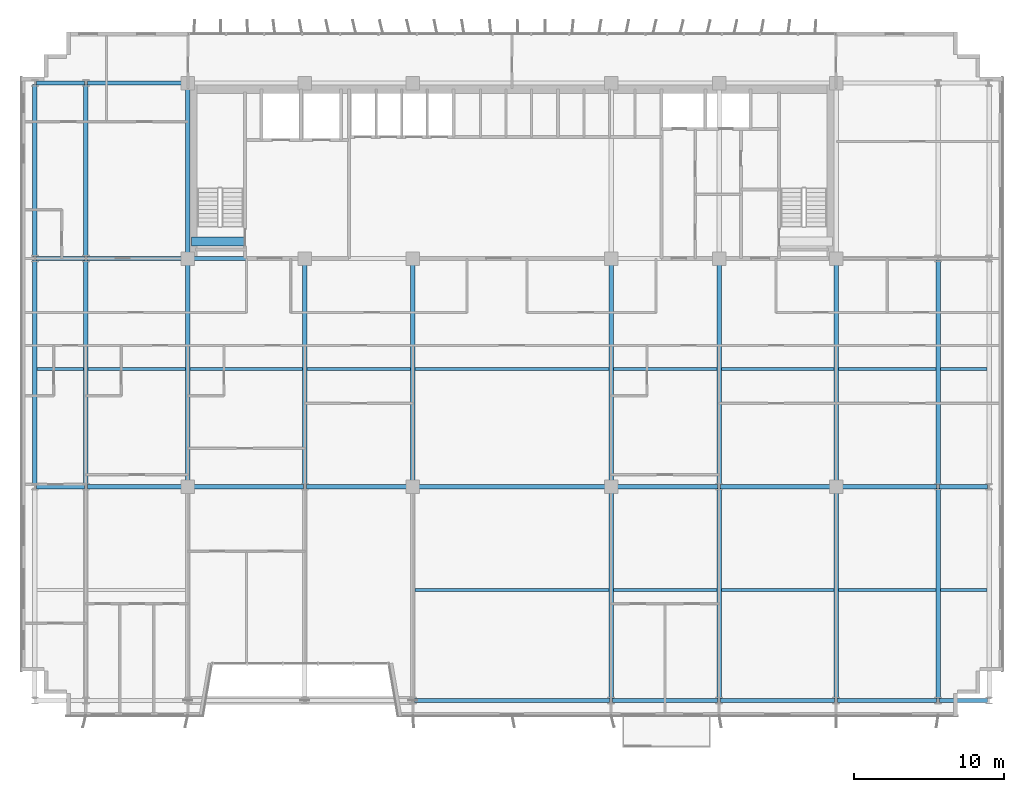
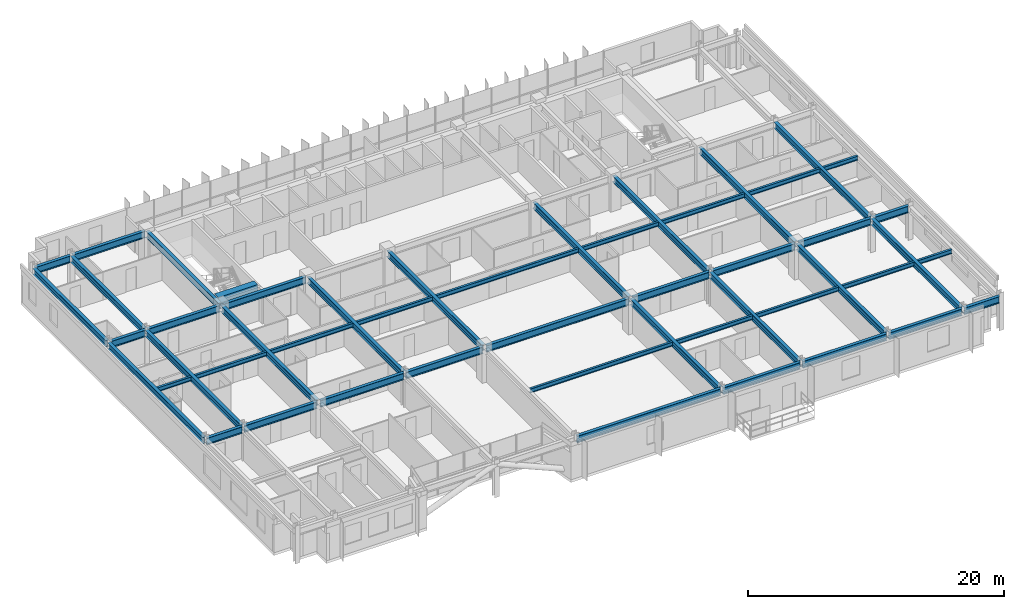
# One storey, part 7 of 25: 50 beams.
"""IFC4 building model written with IfcOpenShell, lengths in metres."""

from ifc_helpers import new_model, si_unit, direction, frame, origin, origin_2d, place, context, subcontext, project, spatial, rectangle, i_section, extrude, source, transform, mapped, material, material_profile, profile_set, type_object, element, save


model = new_model("IFC4")

# Units and contexts
model_context = context("Model", 3, precision=1e-05, world=origin(), true_north=direction((0.0, 1.0)))
body_context = subcontext(model_context, "Body", "Model", "MODEL_VIEW")
ifc_project = project(units=[si_unit("LENGTHUNIT", "METRE"), si_unit("AREAUNIT", "SQUARE_METRE"), si_unit("VOLUMEUNIT", "CUBIC_METRE"), si_unit("PLANEANGLEUNIT", "RADIAN"), si_unit("MASSUNIT", "GRAM", prefix="KILO")], contexts=[model_context])

# Site, building, storey
site_placement = place(None, origin())
site = spatial("IfcSite", under=ifc_project, at=site_placement, CompositionType="ELEMENT")
building_placement = place(site_placement, origin())
building = spatial("IfcBuilding", under=site, at=building_placement, Name="Trelvane Seafront Commons", CompositionType="ELEMENT")
storey_placement = place(building_placement, frame((0.0, 0.0, 70.300048828125)))
storey = spatial("IfcBuildingStorey", under=building, at=storey_placement, Name="L18", CompositionType="ELEMENT", Elevation=70.300048828125)

# Beams
ifc_material_1 = material(Name="Concrete C60/75", Category="concrete")
ifc_material_profile_1 = material_profile(ifc_material_1, rectangle(XDim=0.60009765625, YDim=0.89990234375, at=origin_2d()), Name="RC-600x900")
ifc_profile_set_1 = profile_set([ifc_material_profile_1], Name="Concrete C60/75")
beam_type_1 = type_object("IfcBeamType", Name="STR-LNT-RC600x900", PredefinedType="LINTEL", material=ifc_profile_set_1)
shared_shape_1 = source(origin(), body_context, "Body", "SweptSolid", [
    extrude(rectangle(XDim=0.60009765625, YDim=0.89990234375, at=origin_2d()), origin(), (0.0, 0.0, 1.0), 3.5498046875),
])
beam_1_placement = place(storey_placement, frame((15.85009765625, 34.550048828125, 2.77001953125), z_axis=(1.0, 0.0, 0.0), x_axis=(0.0, 1.0, 0.0)))
element("IfcBeam", 1, at=beam_1_placement, inside=storey, type_object=beam_type_1, Name="L18 Core Coupling Lintel Beam CB-83", PredefinedType="LINTEL", context=body_context, shape_type="MappedRepresentation", body=[
    mapped(shared_shape_1, transform((0.0, 0.0, 0.0), x_axis=(1.0, 0.0, 0.0), y_axis=(0.0, 1.0, 0.0), z_axis=(0.0, 0.0, 1.0), scale=1.0)),
])
ifc_material_2 = material(Name="Steel SM355 (S355)", Category="steel")
ifc_material_profile_2 = material_profile(ifc_material_2, i_section(OverallWidth=0.280029296875, OverallDepth=0.64990234375, WebThickness=0.012939453125, FlangeThickness=0.02197265625, at=origin_2d()), Name="H-650x280x13x22")
ifc_profile_set_2 = profile_set([ifc_material_profile_2], Name="Steel SM355 (S355)")
beam_type_2 = type_object("IfcBeamType", Name="STR-BM-H650", PredefinedType="BEAM", material=ifc_profile_set_2)
shared_shape_2 = source(origin(), body_context, "Body", "SweptSolid", [
    extrude(i_section(OverallWidth=0.280029296875, OverallDepth=0.64990234375, WebThickness=0.012939453125, FlangeThickness=0.02197265625, at=origin_2d()), origin(), (0.0, 0.0, 1.0), 3.190185546875),
])
for number, where, z_axis, x_axis, name in (
    (2, (5.5048828125, 18.199951171875, 2.89501953125), (1.0, 0.0, 0.0), (0.0, 1.0, 0.0), "L18 Primary Girder G-10"),
    (3, (5.5048828125, 33.39990234375, 2.89501953125), (1.0, 0.0, 0.0), (0.0, 1.0, 0.0), "L18 Primary Girder G-19"),
    (4, (5.5048828125, 45.10009765625, 2.89501953125), (1.0, 0.0, 0.0), (0.0, 1.0, 0.0), "L18 Primary Girder G-28"),
):
    element("IfcBeam", number, at=place(storey_placement, frame(where, z_axis=z_axis, x_axis=x_axis)), inside=storey, type_object=beam_type_2, Name=name, PredefinedType="BEAM", context=body_context, shape_type="MappedRepresentation", body=[
        mapped(shared_shape_2, transform((0.0, 0.0, 0.0), x_axis=(1.0, 0.0, 0.0), y_axis=(0.0, 1.0, 0.0), z_axis=(0.0, 0.0, 1.0), scale=1.0)),
    ])
shared_shape_3 = source(origin(), body_context, "Body", "SweptSolid", [
    extrude(i_section(OverallWidth=0.280029296875, OverallDepth=0.64990234375, WebThickness=0.012939453125, FlangeThickness=0.02197265625, at=origin_2d()), origin(), (0.0, 0.0, 1.0), 6.590087890625),
])
beam_2_placement = place(storey_placement, frame((58.905029296875, 3.949951171875, 2.89501953125), z_axis=(1.0, 0.0, 0.0), x_axis=(0.0, 1.0, 0.0)))
element("IfcBeam", 5, at=beam_2_placement, inside=storey, type_object=beam_type_2, Name="L18 Primary Girder G-08", PredefinedType="BEAM", context=body_context, shape_type="MappedRepresentation", body=[
    mapped(shared_shape_3, transform((0.0, 0.0, 0.0), x_axis=(1.0, 0.0, 0.0), y_axis=(0.0, 1.0, 0.0), z_axis=(0.0, 0.0, 1.0), scale=1.0)),
])
shared_shape_4 = source(origin(), body_context, "Body", "SweptSolid", [
    extrude(i_section(OverallWidth=0.280029296875, OverallDepth=0.64990234375, WebThickness=0.012939453125, FlangeThickness=0.02197265625, at=origin_2d()), origin(), (0.0, 0.0, 1.0), 12.989990234375),
])
beam_3_placement = place(storey_placement, frame((30.705078125, 3.949951171875, 2.89501953125), z_axis=(1.0, 0.0, 0.0), x_axis=(0.0, 1.0, 0.0)))
element("IfcBeam", 6, at=beam_3_placement, inside=storey, type_object=beam_type_2, Name="L18 Primary Girder G-05", PredefinedType="BEAM", context=body_context, shape_type="MappedRepresentation", body=[
    mapped(shared_shape_4, transform((0.0, 0.0, 0.0), x_axis=(1.0, 0.0, 0.0), y_axis=(0.0, 1.0, 0.0), z_axis=(0.0, 0.0, 1.0), scale=1.0)),
])
shared_shape_5 = source(origin(), body_context, "Body", "SweptSolid", [
    extrude(i_section(OverallWidth=0.280029296875, OverallDepth=0.64990234375, WebThickness=0.012939453125, FlangeThickness=0.02197265625, at=origin_2d()), origin(), (0.0, 0.0, 1.0), 6.989990234375),
])
beam_4_placement = place(storey_placement, frame((43.905029296875, 3.949951171875, 2.89501953125), z_axis=(1.0, 0.0, 0.0), x_axis=(0.0, 1.0, 0.0)))
element("IfcBeam", 7, at=beam_4_placement, inside=storey, type_object=beam_type_2, Name="L18 Primary Girder G-06", PredefinedType="BEAM", context=body_context, shape_type="MappedRepresentation", body=[
    mapped(shared_shape_5, transform((0.0, 0.0, 0.0), x_axis=(1.0, 0.0, 0.0), y_axis=(0.0, 1.0, 0.0), z_axis=(0.0, 0.0, 1.0), scale=1.0)),
])
shared_shape_6 = source(origin(), body_context, "Body", "SweptSolid", [
    extrude(i_section(OverallWidth=0.280029296875, OverallDepth=0.64990234375, WebThickness=0.012939453125, FlangeThickness=0.02197265625, at=origin_2d()), origin(), (0.0, 0.0, 1.0), 7.590087890625),
])
beam_5_placement = place(storey_placement, frame((51.10498046875, 3.949951171875, 2.89501953125), z_axis=(1.0, 0.0, 0.0), x_axis=(0.0, 1.0, 0.0)))
element("IfcBeam", 8, at=beam_5_placement, inside=storey, type_object=beam_type_2, Name="L18 Primary Girder G-07", PredefinedType="BEAM", context=body_context, shape_type="MappedRepresentation", body=[
    mapped(shared_shape_6, transform((0.0, 0.0, 0.0), x_axis=(1.0, 0.0, 0.0), y_axis=(0.0, 1.0, 0.0), z_axis=(0.0, 0.0, 1.0), scale=1.0)),
])
shared_shape_7 = source(origin(), body_context, "Body", "SweptSolid", [
    extrude(i_section(OverallWidth=0.280029296875, OverallDepth=0.64990234375, WebThickness=0.012939453125, FlangeThickness=0.02197265625, at=origin_2d()), origin(), (0.0, 0.0, 1.0), 3.18994140625),
])
for number, where, z_axis, x_axis, name in (
    (9, (65.705078125, 3.949951171875, 2.89501953125), (1.0, 0.0, 0.0), (0.0, 1.0, 0.0), "L18 Primary Girder G-09"),
    (10, (65.705078125, 18.199951171875, 2.89501953125), (1.0, 0.0, 0.0), (0.0, 1.0, 0.0), "L18 Primary Girder G-18"),
):
    element("IfcBeam", number, at=place(storey_placement, frame(where, z_axis=z_axis, x_axis=x_axis)), inside=storey, type_object=beam_type_2, Name=name, PredefinedType="BEAM", context=body_context, shape_type="MappedRepresentation", body=[
        mapped(shared_shape_7, transform((0.0, 0.0, 0.0), x_axis=(1.0, 0.0, 0.0), y_axis=(0.0, 1.0, 0.0), z_axis=(0.0, 0.0, 1.0), scale=1.0)),
    ])
shared_shape_8 = source(origin(), body_context, "Body", "SweptSolid", [
    extrude(i_section(OverallWidth=0.280029296875, OverallDepth=0.64990234375, WebThickness=0.012939453125, FlangeThickness=0.02197265625, at=origin_2d()), origin(), (0.0, 0.0, 1.0), 6.544921875),
])
for number, where, z_axis, x_axis, name in (
    (11, (8.905029296875, 18.199951171875, 2.89501953125), (1.0, 0.0, 0.0), (0.0, 1.0, 0.0), "L18 Primary Girder G-11"),
    (12, (8.905029296875, 33.39990234375, 2.89501953125), (1.0, 0.0, 0.0), (0.0, 1.0, 0.0), "L18 Primary Girder G-20"),
    (13, (8.905029296875, 45.10009765625, 2.89501953125), (1.0, 0.0, 0.0), (0.0, 1.0, 0.0), "L18 Primary Girder G-29"),
):
    element("IfcBeam", number, at=place(storey_placement, frame(where, z_axis=z_axis, x_axis=x_axis)), inside=storey, type_object=beam_type_2, Name=name, PredefinedType="BEAM", context=body_context, shape_type="MappedRepresentation", body=[
        mapped(shared_shape_8, transform((0.0, 0.0, 0.0), x_axis=(1.0, 0.0, 0.0), y_axis=(0.0, 1.0, 0.0), z_axis=(0.0, 0.0, 1.0), scale=1.0)),
    ])
shared_shape_9 = source(origin(), body_context, "Body", "SweptSolid", [
    extrude(i_section(OverallWidth=0.280029296875, OverallDepth=0.64990234375, WebThickness=0.012939453125, FlangeThickness=0.02197265625, at=origin_2d()), origin(), (0.0, 0.0, 1.0), 7.544921875),
])
for number, where, z_axis, x_axis, name in (
    (14, (15.75, 18.199951171875, 2.89501953125), (1.0, 0.0, 0.0), (0.0, 1.0, 0.0), "L18 Primary Girder G-12"),
    (15, (51.10498046875, 18.199951171875, 2.89501953125), (1.0, 0.0, 0.0), (0.0, 1.0, 0.0), "L18 Primary Girder G-16"),
):
    element("IfcBeam", number, at=place(storey_placement, frame(where, z_axis=z_axis, x_axis=x_axis)), inside=storey, type_object=beam_type_2, Name=name, PredefinedType="BEAM", context=body_context, shape_type="MappedRepresentation", body=[
        mapped(shared_shape_9, transform((0.0, 0.0, 0.0), x_axis=(1.0, 0.0, 0.0), y_axis=(0.0, 1.0, 0.0), z_axis=(0.0, 0.0, 1.0), scale=1.0)),
    ])
shared_shape_10 = source(origin(), body_context, "Body", "SweptSolid", [
    extrude(i_section(OverallWidth=0.280029296875, OverallDepth=0.64990234375, WebThickness=0.012939453125, FlangeThickness=0.02197265625, at=origin_2d()), origin(), (0.0, 0.0, 1.0), 6.945068359375),
])
for number, where, z_axis, x_axis, name in (
    (16, (23.5048828125, 18.199951171875, 2.89501953125), (1.0, 0.0, 0.0), (0.0, 1.0, 0.0), "L18 Primary Girder G-13"),
    (17, (43.949951171875, 18.199951171875, 2.89501953125), (1.0, 0.0, 0.0), (0.0, 1.0, 0.0), "L18 Primary Girder G-15"),
):
    element("IfcBeam", number, at=place(storey_placement, frame(where, z_axis=z_axis, x_axis=x_axis)), inside=storey, type_object=beam_type_2, Name=name, PredefinedType="BEAM", context=body_context, shape_type="MappedRepresentation", body=[
        mapped(shared_shape_10, transform((0.0, 0.0, 0.0), x_axis=(1.0, 0.0, 0.0), y_axis=(0.0, 1.0, 0.0), z_axis=(0.0, 0.0, 1.0), scale=1.0)),
    ])
shared_shape_11 = source(origin(), body_context, "Body", "SweptSolid", [
    extrude(i_section(OverallWidth=0.280029296875, OverallDepth=0.64990234375, WebThickness=0.012939453125, FlangeThickness=0.02197265625, at=origin_2d()), origin(), (0.0, 0.0, 1.0), 12.89990234375),
])
beam_6_placement = place(storey_placement, frame((30.75, 18.199951171875, 2.89501953125), z_axis=(1.0, 0.0, 0.0), x_axis=(0.0, 1.0, 0.0)))
element("IfcBeam", 18, at=beam_6_placement, inside=storey, type_object=beam_type_2, Name="L18 Primary Girder G-14", PredefinedType="BEAM", context=body_context, shape_type="MappedRepresentation", body=[
    mapped(shared_shape_11, transform((0.0, 0.0, 0.0), x_axis=(1.0, 0.0, 0.0), y_axis=(0.0, 1.0, 0.0), z_axis=(0.0, 0.0, 1.0), scale=1.0)),
])
shared_shape_12 = source(origin(), body_context, "Body", "SweptSolid", [
    extrude(i_section(OverallWidth=0.280029296875, OverallDepth=0.64990234375, WebThickness=0.012939453125, FlangeThickness=0.02197265625, at=origin_2d()), origin(), (0.0, 0.0, 1.0), 6.545166015625),
])
beam_7_placement = place(storey_placement, frame((58.949951171875, 18.199951171875, 2.89501953125), z_axis=(1.0, 0.0, 0.0), x_axis=(0.0, 1.0, 0.0)))
element("IfcBeam", 19, at=beam_7_placement, inside=storey, type_object=beam_type_2, Name="L18 Primary Girder G-17", PredefinedType="BEAM", context=body_context, shape_type="MappedRepresentation", body=[
    mapped(shared_shape_12, transform((0.0, 0.0, 0.0), x_axis=(1.0, 0.0, 0.0), y_axis=(0.0, 1.0, 0.0), z_axis=(0.0, 0.0, 1.0), scale=1.0)),
])
shared_shape_13 = source(origin(), body_context, "Body", "SweptSolid", [
    extrude(i_section(OverallWidth=0.280029296875, OverallDepth=0.64990234375, WebThickness=0.012939453125, FlangeThickness=0.02197265625, at=origin_2d()), origin(), (0.0, 0.0, 1.0), 7.5),
])
beam_8_placement = place(storey_placement, frame((15.75, 33.39990234375, 2.89501953125), z_axis=(1.0, 0.0, 0.0), x_axis=(0.0, 1.0, 0.0)))
element("IfcBeam", 20, at=beam_8_placement, inside=storey, type_object=beam_type_2, Name="L18 Primary Girder G-21", PredefinedType="BEAM", context=body_context, shape_type="MappedRepresentation", body=[
    mapped(shared_shape_13, transform((0.0, 0.0, 0.0), x_axis=(1.0, 0.0, 0.0), y_axis=(0.0, 1.0, 0.0), z_axis=(0.0, 0.0, 1.0), scale=1.0)),
])
ifc_material_profile_3 = material_profile(ifc_material_2, i_section(OverallWidth=0.300048828125, OverallDepth=0.587890625, WebThickness=0.011962890625, FlangeThickness=0.02001953125, at=origin_2d()), Name="H-588x300x12x20")
ifc_profile_set_3 = profile_set([ifc_material_profile_3], Name="Steel SM355 (S355)")
beam_type_3 = type_object("IfcBeamType", Name="STR-BM-H588", PredefinedType="BEAM", material=ifc_profile_set_3)
shared_shape_14 = source(origin(), body_context, "Body", "SweptSolid", [
    extrude(i_section(OverallWidth=0.300048828125, OverallDepth=0.587890625, WebThickness=0.011962890625, FlangeThickness=0.02001953125, at=origin_2d()), origin(), (0.0, 0.0, 1.0), 14.0400390625),
])
for number, where, z_axis, x_axis, name in (
    (21, (51.0, 4.054931640625, 2.926025390625), (0.0, 1.0, 0.0), (-1.0, 0.0, 0.0), "L18 Primary Girder G-55"),
    (22, (65.60009765625, 4.054931640625, 2.926025390625), (0.0, 1.0, 0.0), (-1.0, 0.0, 0.0), "L18 Primary Girder G-61"),
):
    element("IfcBeam", number, at=place(storey_placement, frame(where, z_axis=z_axis, x_axis=x_axis)), inside=storey, type_object=beam_type_3, Name=name, PredefinedType="BEAM", context=body_context, shape_type="MappedRepresentation", body=[
        mapped(shared_shape_14, transform((0.0, 0.0, 0.0), x_axis=(1.0, 0.0, 0.0), y_axis=(0.0, 1.0, 0.0), z_axis=(0.0, 0.0, 1.0), scale=1.0)),
    ])
shared_shape_15 = source(origin(), body_context, "Body", "SweptSolid", [
    extrude(i_section(OverallWidth=0.300048828125, OverallDepth=0.587890625, WebThickness=0.011962890625, FlangeThickness=0.02001953125, at=origin_2d()), origin(), (0.0, 0.0, 1.0), 14.989990234375),
])
for number, where, z_axis, x_axis, name in (
    (23, (5.39990234375, 18.304931640625, 2.926025390625), (0.0, 1.0, 0.0), (-1.0, 0.0, 0.0), "L18 Primary Girder G-38"),
    (24, (8.800048828125, 18.304931640625, 2.926025390625), (0.0, 1.0, 0.0), (-1.0, 0.0, 0.0), "L18 Primary Girder G-41"),
    (25, (65.60009765625, 18.304931640625, 2.926025390625), (0.0, 1.0, 0.0), (-1.0, 0.0, 0.0), "L18 Primary Girder G-62"),
):
    element("IfcBeam", number, at=place(storey_placement, frame(where, z_axis=z_axis, x_axis=x_axis)), inside=storey, type_object=beam_type_3, Name=name, PredefinedType="BEAM", context=body_context, shape_type="MappedRepresentation", body=[
        mapped(shared_shape_15, transform((0.0, 0.0, 0.0), x_axis=(1.0, 0.0, 0.0), y_axis=(0.0, 1.0, 0.0), z_axis=(0.0, 0.0, 1.0), scale=1.0)),
    ])
shared_shape_16 = source(origin(), body_context, "Body", "SweptSolid", [
    extrude(i_section(OverallWidth=0.300048828125, OverallDepth=0.587890625, WebThickness=0.011962890625, FlangeThickness=0.02001953125, at=origin_2d()), origin(), (0.0, 0.0, 1.0), 11.490234375),
])
for number, where, z_axis, x_axis, name in (
    (26, (5.39990234375, 33.5048828125, 2.926025390625), (0.0, 1.0, 0.0), (-1.0, 0.0, 0.0), "L18 Primary Girder G-39"),
    (27, (8.800048828125, 33.5048828125, 2.926025390625), (0.0, 1.0, 0.0), (-1.0, 0.0, 0.0), "L18 Primary Girder G-42"),
):
    element("IfcBeam", number, at=place(storey_placement, frame(where, z_axis=z_axis, x_axis=x_axis)), inside=storey, type_object=beam_type_3, Name=name, PredefinedType="BEAM", context=body_context, shape_type="MappedRepresentation", body=[
        mapped(shared_shape_16, transform((0.0, 0.0, 0.0), x_axis=(1.0, 0.0, 0.0), y_axis=(0.0, 1.0, 0.0), z_axis=(0.0, 0.0, 1.0), scale=1.0)),
    ])
shared_shape_17 = source(origin(), body_context, "Body", "SweptSolid", [
    extrude(i_section(OverallWidth=0.300048828125, OverallDepth=0.587890625, WebThickness=0.011962890625, FlangeThickness=0.02001953125, at=origin_2d()), origin(), (0.0, 0.0, 1.0), 13.9951171875),
])
for number, where, z_axis, x_axis, name in (
    (28, (43.800048828125, 4.054931640625, 2.926025390625), (0.0, 1.0, 0.0), (-1.0, 0.0, 0.0), "L18 Primary Girder G-52"),
    (29, (58.800048828125, 4.054931640625, 2.926025390625), (0.0, 1.0, 0.0), (-1.0, 0.0, 0.0), "L18 Primary Girder G-58"),
):
    element("IfcBeam", number, at=place(storey_placement, frame(where, z_axis=z_axis, x_axis=x_axis)), inside=storey, type_object=beam_type_3, Name=name, PredefinedType="BEAM", context=body_context, shape_type="MappedRepresentation", body=[
        mapped(shared_shape_17, transform((0.0, 0.0, 0.0), x_axis=(1.0, 0.0, 0.0), y_axis=(0.0, 1.0, 0.0), z_axis=(0.0, 0.0, 1.0), scale=1.0)),
    ])
shared_shape_18 = source(origin(), body_context, "Body", "SweptSolid", [
    extrude(i_section(OverallWidth=0.300048828125, OverallDepth=0.587890625, WebThickness=0.011962890625, FlangeThickness=0.02001953125, at=origin_2d()), origin(), (0.0, 0.0, 1.0), 14.89990234375),
])
for number, where, z_axis, x_axis, name in (
    (30, (15.60009765625, 18.35009765625, 2.926025390625), (0.0, 1.0, 0.0), (-1.0, 0.0, 0.0), "L18 Primary Girder G-44"),
    (31, (30.60009765625, 18.35009765625, 2.926025390625), (0.0, 1.0, 0.0), (-1.0, 0.0, 0.0), "L18 Primary Girder G-50"),
    (32, (43.800048828125, 18.35009765625, 2.926025390625), (0.0, 1.0, 0.0), (-1.0, 0.0, 0.0), "L18 Primary Girder G-53"),
    (33, (58.800048828125, 18.35009765625, 2.926025390625), (0.0, 1.0, 0.0), (-1.0, 0.0, 0.0), "L18 Primary Girder G-59"),
):
    element("IfcBeam", number, at=place(storey_placement, frame(where, z_axis=z_axis, x_axis=x_axis)), inside=storey, type_object=beam_type_3, Name=name, PredefinedType="BEAM", context=body_context, shape_type="MappedRepresentation", body=[
        mapped(shared_shape_18, transform((0.0, 0.0, 0.0), x_axis=(1.0, 0.0, 0.0), y_axis=(0.0, 1.0, 0.0), z_axis=(0.0, 0.0, 1.0), scale=1.0)),
    ])
shared_shape_19 = source(origin(), body_context, "Body", "SweptSolid", [
    extrude(i_section(OverallWidth=0.300048828125, OverallDepth=0.587890625, WebThickness=0.011962890625, FlangeThickness=0.02001953125, at=origin_2d()), origin(), (0.0, 0.0, 1.0), 11.39990234375),
])
beam_9_placement = place(storey_placement, frame((15.60009765625, 33.550048828125, 2.926025390625), z_axis=(0.0, 1.0, 0.0), x_axis=(-1.0, 0.0, 0.0)))
element("IfcBeam", 34, at=beam_9_placement, inside=storey, type_object=beam_type_3, Name="L18 Primary Girder G-45", PredefinedType="BEAM", context=body_context, shape_type="MappedRepresentation", body=[
    mapped(shared_shape_19, transform((0.0, 0.0, 0.0), x_axis=(1.0, 0.0, 0.0), y_axis=(0.0, 1.0, 0.0), z_axis=(0.0, 0.0, 1.0), scale=1.0)),
])
shared_shape_20 = source(origin(), body_context, "Body", "SweptSolid", [
    extrude(i_section(OverallWidth=0.300048828125, OverallDepth=0.587890625, WebThickness=0.011962890625, FlangeThickness=0.02001953125, at=origin_2d()), origin(), (0.0, 0.0, 1.0), 14.945068359375),
])
for number, where, z_axis, x_axis, name in (
    (35, (23.39990234375, 18.304931640625, 2.926025390625), (0.0, 1.0, 0.0), (-1.0, 0.0, 0.0), "L18 Primary Girder G-47"),
    (36, (51.0, 18.304931640625, 2.926025390625), (0.0, 1.0, 0.0), (-1.0, 0.0, 0.0), "L18 Primary Girder G-56"),
):
    element("IfcBeam", number, at=place(storey_placement, frame(where, z_axis=z_axis, x_axis=x_axis)), inside=storey, type_object=beam_type_3, Name=name, PredefinedType="BEAM", context=body_context, shape_type="MappedRepresentation", body=[
        mapped(shared_shape_20, transform((0.0, 0.0, 0.0), x_axis=(1.0, 0.0, 0.0), y_axis=(0.0, 1.0, 0.0), z_axis=(0.0, 0.0, 1.0), scale=1.0)),
    ])
ifc_material_profile_4 = material_profile(ifc_material_2, i_section(OverallWidth=0.199951171875, OverallDepth=0.39990234375, WebThickness=0.008056640625, FlangeThickness=0.012939453125, at=origin_2d()), Name="H-400x200x8x13")
ifc_profile_set_4 = profile_set([ifc_material_profile_4], Name="Steel SM355 (S355)")
beam_type_4 = type_object("IfcBeamType", Name="STR-JST-H400", PredefinedType="JOIST", material=ifc_profile_set_4)
shared_shape_21 = source(origin(), body_context, "Body", "SweptSolid", [
    extrude(i_section(OverallWidth=0.199951171875, OverallDepth=0.39990234375, WebThickness=0.008056640625, FlangeThickness=0.012939453125, at=origin_2d()), origin(), (0.0, 0.0, 1.0), 3.099853515625),
])
beam_10_placement = place(storey_placement, frame((5.550048828125, 26.050048828125, 3.02001953125), z_axis=(1.0, 0.0, 0.0), x_axis=(0.0, 1.0, 0.0)))
element("IfcBeam", 37, at=beam_10_placement, inside=storey, type_object=beam_type_4, Name="L18 Secondary Floor Joist B-74", PredefinedType="JOIST", context=body_context, shape_type="MappedRepresentation", body=[
    mapped(shared_shape_21, transform((0.0, 0.0, 0.0), x_axis=(1.0, 0.0, 0.0), y_axis=(0.0, 1.0, 0.0), z_axis=(0.0, 0.0, 1.0), scale=1.0)),
])
shared_shape_22 = source(origin(), body_context, "Body", "SweptSolid", [
    extrude(i_section(OverallWidth=0.199951171875, OverallDepth=0.39990234375, WebThickness=0.008056640625, FlangeThickness=0.012939453125, at=origin_2d()), origin(), (0.0, 0.0, 1.0), 6.5),
])
for number, where, z_axis, x_axis, name in (
    (38, (58.949951171875, 11.324951171875, 3.02001953125), (1.0, 0.0, 0.0), (0.0, 1.0, 0.0), "L18 Secondary Floor Joist B-72"),
    (39, (8.949951171875, 26.050048828125, 3.02001953125), (1.0, 0.0, 0.0), (0.0, 1.0, 0.0), "L18 Secondary Floor Joist B-75"),
    (40, (58.949951171875, 26.050048828125, 3.02001953125), (1.0, 0.0, 0.0), (0.0, 1.0, 0.0), "L18 Secondary Floor Joist B-81"),
):
    element("IfcBeam", number, at=place(storey_placement, frame(where, z_axis=z_axis, x_axis=x_axis)), inside=storey, type_object=beam_type_4, Name=name, PredefinedType="JOIST", context=body_context, shape_type="MappedRepresentation", body=[
        mapped(shared_shape_22, transform((0.0, 0.0, 0.0), x_axis=(1.0, 0.0, 0.0), y_axis=(0.0, 1.0, 0.0), z_axis=(0.0, 0.0, 1.0), scale=1.0)),
    ])
shared_shape_23 = source(origin(), body_context, "Body", "SweptSolid", [
    extrude(i_section(OverallWidth=0.199951171875, OverallDepth=0.39990234375, WebThickness=0.008056640625, FlangeThickness=0.012939453125, at=origin_2d()), origin(), (0.0, 0.0, 1.0), 7.5),
])
for number, where, z_axis, x_axis, name in (
    (41, (51.14990234375, 11.324951171875, 3.02001953125), (1.0, 0.0, 0.0), (0.0, 1.0, 0.0), "L18 Secondary Floor Joist B-71"),
    (42, (15.75, 26.050048828125, 3.02001953125), (1.0, 0.0, 0.0), (0.0, 1.0, 0.0), "L18 Secondary Floor Joist B-76"),
    (43, (51.14990234375, 26.050048828125, 3.02001953125), (1.0, 0.0, 0.0), (0.0, 1.0, 0.0), "L18 Secondary Floor Joist B-80"),
):
    element("IfcBeam", number, at=place(storey_placement, frame(where, z_axis=z_axis, x_axis=x_axis)), inside=storey, type_object=beam_type_4, Name=name, PredefinedType="JOIST", context=body_context, shape_type="MappedRepresentation", body=[
        mapped(shared_shape_23, transform((0.0, 0.0, 0.0), x_axis=(1.0, 0.0, 0.0), y_axis=(0.0, 1.0, 0.0), z_axis=(0.0, 0.0, 1.0), scale=1.0)),
    ])
shared_shape_24 = source(origin(), body_context, "Body", "SweptSolid", [
    extrude(i_section(OverallWidth=0.199951171875, OverallDepth=0.39990234375, WebThickness=0.008056640625, FlangeThickness=0.012939453125, at=origin_2d()), origin(), (0.0, 0.0, 1.0), 6.89990234375),
])
beam_11_placement = place(storey_placement, frame((23.550048828125, 26.050048828125, 3.02001953125), z_axis=(1.0, 0.0, 0.0), x_axis=(0.0, 1.0, 0.0)))
element("IfcBeam", 44, at=beam_11_placement, inside=storey, type_object=beam_type_4, Name="L18 Secondary Floor Joist B-77", PredefinedType="JOIST", context=body_context, shape_type="MappedRepresentation", body=[
    mapped(shared_shape_24, transform((0.0, 0.0, 0.0), x_axis=(1.0, 0.0, 0.0), y_axis=(0.0, 1.0, 0.0), z_axis=(0.0, 0.0, 1.0), scale=1.0)),
])
shared_shape_25 = source(origin(), body_context, "Body", "SweptSolid", [
    extrude(i_section(OverallWidth=0.199951171875, OverallDepth=0.39990234375, WebThickness=0.008056640625, FlangeThickness=0.012939453125, at=origin_2d()), origin(), (0.0, 0.0, 1.0), 12.89990234375),
])
for number, where, z_axis, x_axis, name in (
    (45, (30.75, 11.324951171875, 3.02001953125), (1.0, 0.0, 0.0), (0.0, 1.0, 0.0), "L18 Secondary Floor Joist B-69"),
    (46, (30.75, 26.050048828125, 3.02001953125), (1.0, 0.0, 0.0), (0.0, 1.0, 0.0), "L18 Secondary Floor Joist B-78"),
):
    element("IfcBeam", number, at=place(storey_placement, frame(where, z_axis=z_axis, x_axis=x_axis)), inside=storey, type_object=beam_type_4, Name=name, PredefinedType="JOIST", context=body_context, shape_type="MappedRepresentation", body=[
        mapped(shared_shape_25, transform((0.0, 0.0, 0.0), x_axis=(1.0, 0.0, 0.0), y_axis=(0.0, 1.0, 0.0), z_axis=(0.0, 0.0, 1.0), scale=1.0)),
    ])
shared_shape_26 = source(origin(), body_context, "Body", "SweptSolid", [
    extrude(i_section(OverallWidth=0.199951171875, OverallDepth=0.39990234375, WebThickness=0.008056640625, FlangeThickness=0.012939453125, at=origin_2d()), origin(), (0.0, 0.0, 1.0), 6.900146484375),
])
for number, where, z_axis, x_axis, name in (
    (47, (43.949951171875, 11.324951171875, 3.02001953125), (1.0, 0.0, 0.0), (0.0, 1.0, 0.0), "L18 Secondary Floor Joist B-70"),
    (48, (43.949951171875, 26.050048828125, 3.02001953125), (1.0, 0.0, 0.0), (0.0, 1.0, 0.0), "L18 Secondary Floor Joist B-79"),
):
    element("IfcBeam", number, at=place(storey_placement, frame(where, z_axis=z_axis, x_axis=x_axis)), inside=storey, type_object=beam_type_4, Name=name, PredefinedType="JOIST", context=body_context, shape_type="MappedRepresentation", body=[
        mapped(shared_shape_26, transform((0.0, 0.0, 0.0), x_axis=(1.0, 0.0, 0.0), y_axis=(0.0, 1.0, 0.0), z_axis=(0.0, 0.0, 1.0), scale=1.0)),
    ])
shared_shape_27 = source(origin(), body_context, "Body", "SweptSolid", [
    extrude(i_section(OverallWidth=0.199951171875, OverallDepth=0.39990234375, WebThickness=0.008056640625, FlangeThickness=0.012939453125, at=origin_2d()), origin(), (0.0, 0.0, 1.0), 3.10009765625),
])
for number, where, z_axis, x_axis, name in (
    (49, (65.75, 11.324951171875, 3.02001953125), (1.0, 0.0, 0.0), (0.0, 1.0, 0.0), "L18 Secondary Floor Joist B-73"),
    (50, (65.75, 26.050048828125, 3.02001953125), (1.0, 0.0, 0.0), (0.0, 1.0, 0.0), "L18 Secondary Floor Joist B-82"),
):
    element("IfcBeam", number, at=place(storey_placement, frame(where, z_axis=z_axis, x_axis=x_axis)), inside=storey, type_object=beam_type_4, Name=name, PredefinedType="JOIST", context=body_context, shape_type="MappedRepresentation", body=[
        mapped(shared_shape_27, transform((0.0, 0.0, 0.0), x_axis=(1.0, 0.0, 0.0), y_axis=(0.0, 1.0, 0.0), z_axis=(0.0, 0.0, 1.0), scale=1.0)),
    ])

save(model, "model.ifc")
